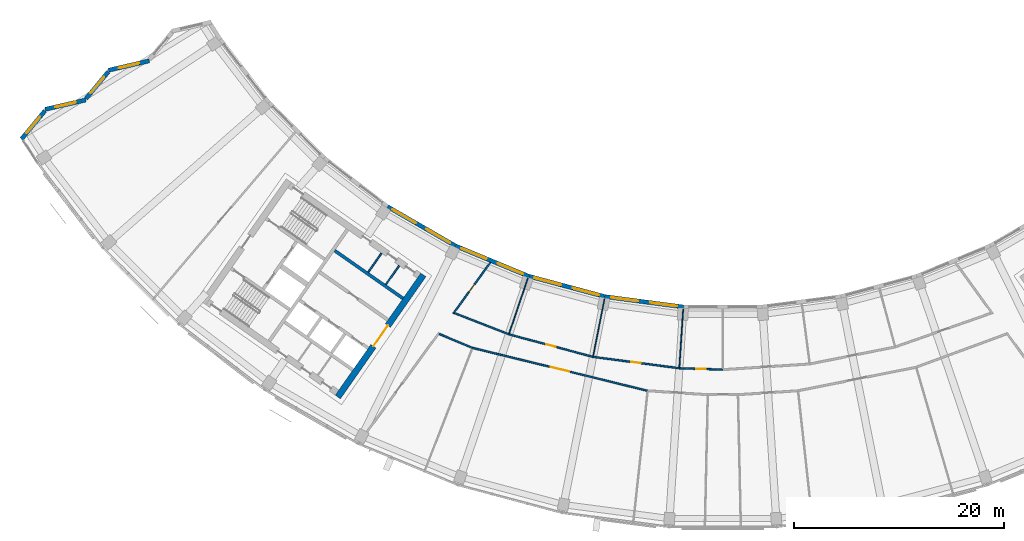
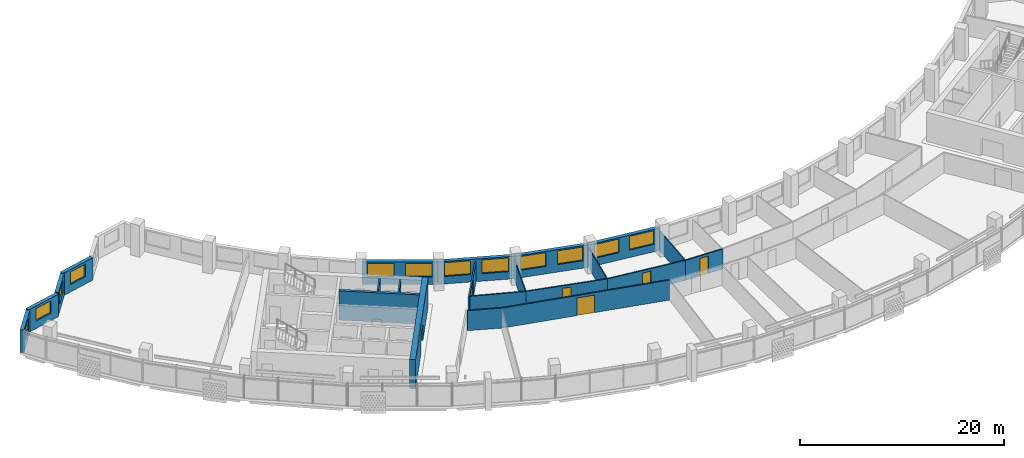
# One storey, part 4 of 28: 22 walls, 12 windows, 6 doors, 18 openings.
"""IFC4 building model written with IfcOpenShell, lengths in metres."""

from ifc_helpers import new_model, si_unit, direction, frame, frame_2d, origin, place, context, subcontext, project, spatial, rectangle, extrude, material, layer, layer_set, type_object, element, fill, save


model = new_model("IFC4")

# Units and contexts
model_context = context("Model", 3, precision=1e-05, world=origin(), true_north=direction((0.0, 1.0)))
body_context = subcontext(model_context, "Body", "Model", "MODEL_VIEW")
ifc_project = project(units=[si_unit("LENGTHUNIT", "METRE"), si_unit("AREAUNIT", "SQUARE_METRE"), si_unit("VOLUMEUNIT", "CUBIC_METRE"), si_unit("PLANEANGLEUNIT", "RADIAN"), si_unit("MASSUNIT", "GRAM", prefix="KILO")], contexts=[model_context])

# Site, building, storey
site_placement = place(None, origin())
site = spatial("IfcSite", under=ifc_project, at=site_placement, CompositionType="ELEMENT")
building_placement = place(site_placement, origin())
building = spatial("IfcBuilding", under=site, at=building_placement, Name="Qamariyya Broadcast Tower", CompositionType="ELEMENT")
storey_placement = place(building_placement, frame((0.0, 0.0, 230.300048828125)))
storey = spatial("IfcBuildingStorey", under=building, at=storey_placement, Name="L55", CompositionType="ELEMENT", Elevation=230.300048828125)

# Wall, opening, door
ifc_material_1 = material(Name="Concrete C60/75", Category="concrete")
ifc_layer_1 = layer(ifc_material_1, 0.60009765625)
ifc_layer_set_1 = layer_set([ifc_layer_1], Name="Core wall 600 mm Concrete C60/75")
wall_type_1 = type_object("IfcWallType", Name="Core wall 600 mm Concrete C60/75", PredefinedType="SHEAR", material=ifc_layer_set_1)
wall_1_placement = place(storey_placement, frame((-36.66748046875, -66.005126953125, 0.0), z_axis=(0.0, 0.0, 1.0), x_axis=(0.573568499524, 0.819157601658, 0.0)))
wall_1 = element("IfcWall", 1, at=wall_1_placement, inside=storey, type_object=wall_type_1, Name="k-W-L55-WA", PredefinedType="SHEAR", context=body_context, shape_type="SweptSolid", body=[
    extrude(rectangle(XDim=14.19970703125, YDim=0.60009765625, at=frame_2d((7.099853515625, 0.0))), origin(), (0.0, 0.0, 1.0), 3.5),
])
opening_1_placement = place(wall_1_placement, frame((5.89990234375, 0.0, 0.0)))
opening_1 = element("IfcOpeningElement", 2, at=opening_1_placement, cuts=wall_1, Name="Opening KD3-W1", PredefinedType="OPENING", context=body_context, shape_type="SweptSolid", body=[
    extrude(rectangle(XDim=2.39990234375, YDim=2.10009765625, at=frame_2d((1.199951171875, 1.050048828125))), frame((0.0, 0.31005859375, 0.0), z_axis=(0.0, -1.0, 0.0), x_axis=(1.0, 0.0, 0.0)), (0.0, 0.0, 1.0), 0.6201171875),
])
ifc_material_2 = material(Name="Steel fire-resisting door leaf", Category="steel")
door_type_1 = type_object("IfcDoorType", Name="Lift lobby door KD3", OperationType="DOUBLE_DOOR_SINGLE_SWING", PredefinedType="DOOR", material=ifc_material_2)
door_1_placement = place(opening_1_placement, origin())
door_1 = element("IfcDoor", 3, at=door_1_placement, inside=storey, type_object=door_type_1, Name="k-W-L55-WA-D1", OperationType="DOUBLE_DOOR_SINGLE_SWING", OverallHeight=2.10009765625, OverallWidth=2.39990234375, PredefinedType="DOOR", context=body_context, shape_type="SweptSolid", body=[
    extrude(rectangle(XDim=2.39990234375, YDim=2.10009765625, at=frame_2d((1.199951171875, 1.050048828125))), frame((0.0, 0.02490234375, 0.0), z_axis=(0.0, -1.0, 0.0), x_axis=(1.0, 0.0, 0.0)), (0.0, 0.0, 1.0), 0.050048828125),
])
fill(opening_1, door_1)

# Walls
ifc_material_3 = material(Name="Gypsum board partition")
ifc_layer_2 = layer(ifc_material_3, 0.14990234375)
ifc_layer_set_2 = layer_set([ifc_layer_2], Name="Corridor partition 150 EI 60")
wall_type_2 = type_object("IfcWallType", Name="Corridor partition 150 EI 60", PredefinedType="PARTITIONING", material=ifc_layer_set_2)
wall_2_placement = place(storey_placement, frame((-27.008544921875, -59.999267578125, 0.0), z_axis=(0.0, 0.0, 1.0), x_axis=(0.922043605685, -0.387086023018, 0.0)))
element("IfcWall", 4, at=wall_2_placement, inside=storey, type_object=wall_type_2, Name="Partition L55-004", PredefinedType="PARTITIONING", context=body_context, shape_type="SweptSolid", body=[
    extrude(rectangle(XDim=3.42919921875, YDim=0.14990234375, at=frame_2d((1.714599609375, 0.0))), origin(), (0.0, 0.0, 1.0), 2.39990234375),
])
wall_3_placement = place(storey_placement, frame((-25.561767578125, -58.014892578125, 0.0), z_axis=(0.0, 0.0, 1.0), x_axis=(0.931697931841, -0.363234034479, 0.0)))
element("IfcWall", 5, at=wall_3_placement, inside=storey, type_object=wall_type_2, Name="Partition L55-005", PredefinedType="PARTITIONING", context=body_context, shape_type="SweptSolid", body=[
    extrude(rectangle(XDim=5.5625, YDim=0.14990234375, at=frame_2d((2.78125, 0.0))), origin(), (0.0, 0.0, 1.0), 2.39990234375),
])

# Wall, opening, door
wall_4_placement = place(storey_placement, frame((-7.16162109375, -65.4091796875, 0.0), z_axis=(0.0, 0.0, 1.0), x_axis=(-0.971345945065, 0.23767005492, 0.0)))
wall_4 = element("IfcWall", 6, at=wall_4_placement, inside=storey, type_object=wall_type_2, Name="Partition L55-006", PredefinedType="PARTITIONING", context=body_context, shape_type="SweptSolid", body=[
    extrude(rectangle(XDim=17.17724609375, YDim=0.14990234375, at=frame_2d((8.588623046875, 0.0))), origin(), (0.0, 0.0, 1.0), 2.39990234375),
])
opening_2_placement = place(wall_4_placement, frame((7.688720703125, 0.0, 0.0)))
opening_2 = element("IfcOpeningElement", 7, at=opening_2_placement, cuts=wall_4, Name="Opening L55-D02", PredefinedType="OPENING", context=body_context, shape_type="SweptSolid", body=[
    extrude(rectangle(XDim=1.800048828125, YDim=2.10009765625, at=frame_2d((0.89990234375, 1.050048828125))), frame((0.0, 0.0849609375, 0.0), z_axis=(0.0, -1.0, 0.0), x_axis=(1.0, 0.0, 0.0)), (0.0, 0.0, 1.0), 0.169921875),
])
ifc_material_4 = material(Name="Timber fire door leaf", Category="wood")
door_type_2 = type_object("IfcDoorType", Name="Double fire door 1800 x 2100 FD60", OperationType="NOTDEFINED", PredefinedType="DOOR", material=ifc_material_4)
door_2_placement = place(opening_2_placement, origin())
door_2 = element("IfcDoor", 8, at=door_2_placement, inside=storey, type_object=door_type_2, Name="Door L55-D02", OperationType="DOUBLE_DOOR_SINGLE_SWING", OverallHeight=2.10009765625, OverallWidth=1.800048828125, PredefinedType="DOOR", context=body_context, shape_type="SweptSolid", body=[
    extrude(rectangle(XDim=1.800048828125, YDim=2.10009765625, at=frame_2d((0.89990234375, 1.050048828125))), frame((0.0, 0.02490234375, 0.0), z_axis=(0.0, -1.0, 0.0), x_axis=(1.0, 0.0, 0.0)), (0.0, 0.0, 1.0), 0.050048828125),
])
fill(opening_2, door_2)

wall_5_placement = place(storey_placement, frame((-22.135498046875, -53.1943359375, 0.0), z_axis=(0.0, 0.0, 1.0), x_axis=(-0.589297062476, -0.807916438846, 0.0)))
wall_5 = element("IfcWall", 9, at=wall_5_placement, inside=storey, type_object=wall_type_2, Name="Partition L55-007", PredefinedType="PARTITIONING", context=body_context, shape_type="SweptSolid", body=[
    extrude(rectangle(XDim=6.008056640625, YDim=0.14990234375, at=frame_2d((3.00390625, 0.0))), origin(), (0.0, 0.0, 1.0), 2.39990234375),
])
opening_3_placement = place(wall_5_placement, frame((2.553955078125, 0.0, 0.0)))
opening_3 = element("IfcOpeningElement", 10, at=opening_3_placement, cuts=wall_5, Name="Opening L55-D08", PredefinedType="OPENING", context=body_context, shape_type="SweptSolid", body=[
    extrude(rectangle(XDim=0.89990234375, YDim=2.10009765625, at=frame_2d((0.449951171875, 1.050048828125))), frame((0.0, 0.0849609375, 0.0), z_axis=(0.0, -1.0, 0.0), x_axis=(1.0, 0.0, 0.0)), (0.0, 0.0, 1.0), 0.169921875),
])
door_type_3 = type_object("IfcDoorType", Name="Fire door 900 x 2100 FD60", OperationType="NOTDEFINED", PredefinedType="DOOR", material=ifc_material_4)
door_3_placement = place(opening_3_placement, origin())
door_3 = element("IfcDoor", 11, at=door_3_placement, inside=storey, type_object=door_type_3, Name="Door L55-D08", OperationType="SINGLE_SWING_RIGHT", OverallHeight=2.10009765625, OverallWidth=0.89990234375, PredefinedType="DOOR", context=body_context, shape_type="SweptSolid", body=[
    extrude(rectangle(XDim=0.89990234375, YDim=2.10009765625, at=frame_2d((0.449951171875, 1.050048828125))), frame((0.0, 0.02490234375, 0.0), z_axis=(0.0, -1.0, 0.0), x_axis=(1.0, 0.0, 0.0)), (0.0, 0.0, 1.0), 0.050048828125),
])
fill(opening_3, door_3)

wall_6_placement = place(storey_placement, frame((-20.379150390625, -60.035400390625, 0.0), z_axis=(0.0, 0.0, 1.0), x_axis=(0.965923478141, -0.258827808351, 0.0)))
wall_6 = element("IfcWall", 12, at=wall_6_placement, inside=storey, type_object=wall_type_2, Name="Partition L55-008", PredefinedType="PARTITIONING", context=body_context, shape_type="SweptSolid", body=[
    extrude(rectangle(XDim=8.293212890625, YDim=0.14990234375, at=frame_2d((4.146484375, 0.0))), origin(), (0.0, 0.0, 1.0), 2.39990234375),
])
opening_4_placement = place(wall_6_placement, frame((3.696533203125, 0.0, 0.0)))
opening_4 = element("IfcOpeningElement", 13, at=opening_4_placement, cuts=wall_6, Name="Opening L55-D09", PredefinedType="OPENING", context=body_context, shape_type="SweptSolid", body=[
    extrude(rectangle(XDim=0.89990234375, YDim=2.10009765625, at=frame_2d((0.449951171875, 1.050048828125))), frame((0.0, 0.0849609375, 0.0), z_axis=(0.0, -1.0, 0.0), x_axis=(1.0, 0.0, 0.0)), (0.0, 0.0, 1.0), 0.169921875),
])
door_4_placement = place(opening_4_placement, origin())
door_4 = element("IfcDoor", 14, at=door_4_placement, inside=storey, type_object=door_type_3, Name="Door L55-D09", OperationType="SINGLE_SWING_RIGHT", OverallHeight=2.10009765625, OverallWidth=0.89990234375, PredefinedType="DOOR", context=body_context, shape_type="SweptSolid", body=[
    extrude(rectangle(XDim=0.89990234375, YDim=2.10009765625, at=frame_2d((0.449951171875, 1.050048828125))), frame((0.0, 0.02490234375, 0.0), z_axis=(0.0, -1.0, 0.0), x_axis=(1.0, 0.0, 0.0)), (0.0, 0.0, 1.0), 0.050048828125),
])
fill(opening_4, door_4)

wall_7_placement = place(storey_placement, frame((-12.36865234375, -62.181884765625, 0.0), z_axis=(0.0, 0.0, 1.0), x_axis=(0.991447881484, -0.130503250152, 0.0)))
wall_7 = element("IfcWall", 15, at=wall_7_placement, inside=storey, type_object=wall_type_2, Name="Partition L55-010", PredefinedType="PARTITIONING", context=body_context, shape_type="SweptSolid", body=[
    extrude(rectangle(XDim=8.293212890625, YDim=0.14990234375, at=frame_2d((4.146484375, 0.0))), origin(), (0.0, 0.0, 1.0), 2.39990234375),
])
opening_5_placement = place(wall_7_placement, frame((3.696533203125, 0.0, 0.0)))
opening_5 = element("IfcOpeningElement", 16, at=opening_5_placement, cuts=wall_7, Name="Opening L55-D10", PredefinedType="OPENING", context=body_context, shape_type="SweptSolid", body=[
    extrude(rectangle(XDim=0.89990234375, YDim=2.10009765625, at=frame_2d((0.449951171875, 1.050048828125))), frame((0.0, 0.0849609375, 0.0), z_axis=(0.0, -1.0, 0.0), x_axis=(1.0, 0.0, 0.0)), (0.0, 0.0, 1.0), 0.169921875),
])
door_5_placement = place(opening_5_placement, origin())
door_5 = element("IfcDoor", 17, at=door_5_placement, inside=storey, type_object=door_type_3, Name="Door L55-D10", OperationType="SINGLE_SWING_RIGHT", OverallHeight=2.10009765625, OverallWidth=0.89990234375, PredefinedType="DOOR", context=body_context, shape_type="SweptSolid", body=[
    extrude(rectangle(XDim=0.89990234375, YDim=2.10009765625, at=frame_2d((0.449951171875, 1.050048828125))), frame((0.0, 0.02490234375, 0.0), z_axis=(0.0, -1.0, 0.0), x_axis=(1.0, 0.0, 0.0)), (0.0, 0.0, 1.0), 0.050048828125),
])
fill(opening_5, door_5)

wall_8_placement = place(storey_placement, frame((-4.146484375, -63.26416015625, 0.0), z_axis=(0.0, 0.0, 1.0), x_axis=(0.999464584765, -0.032719165634, 0.0)))
wall_8 = element("IfcWall", 18, at=wall_8_placement, inside=storey, type_object=wall_type_2, Name="Partition L55-014", PredefinedType="PARTITIONING", context=body_context, shape_type="SweptSolid", body=[
    extrude(rectangle(XDim=4.148681640625, YDim=0.14990234375, at=frame_2d((2.07421875, 0.0))), origin(), (0.0, 0.0, 1.0), 2.39990234375),
])
opening_6_placement = place(wall_8_placement, frame((1.62451171875, 0.0, 0.0)))
opening_6 = element("IfcOpeningElement", 19, at=opening_6_placement, cuts=wall_8, Name="Opening L55-D11", PredefinedType="OPENING", context=body_context, shape_type="SweptSolid", body=[
    extrude(rectangle(XDim=0.89990234375, YDim=2.10009765625, at=frame_2d((0.449951171875, 1.050048828125))), frame((0.0, 0.0849609375, 0.0), z_axis=(0.0, -1.0, 0.0), x_axis=(1.0, 0.0, 0.0)), (0.0, 0.0, 1.0), 0.169921875),
])
door_6_placement = place(opening_6_placement, origin())
door_6 = element("IfcDoor", 20, at=door_6_placement, inside=storey, type_object=door_type_3, Name="Door L55-D11", OperationType="SINGLE_SWING_RIGHT", OverallHeight=2.10009765625, OverallWidth=0.89990234375, PredefinedType="DOOR", context=body_context, shape_type="SweptSolid", body=[
    extrude(rectangle(XDim=0.89990234375, YDim=2.10009765625, at=frame_2d((0.449951171875, 1.050048828125))), frame((0.0, 0.02490234375, 0.0), z_axis=(0.0, -1.0, 0.0), x_axis=(1.0, 0.0, 0.0)), (0.0, 0.0, 1.0), 0.050048828125),
])
fill(opening_6, door_6)

# Walls
ifc_material_5 = material(Name="Gypsum board partition on steel studs", Category="steel")
ifc_layer_3 = layer(ifc_material_5, 0.14990234375)
ifc_layer_set_3 = layer_set([ifc_layer_3], Name="Gypsum board partition 150 mm")
wall_type_3 = type_object("IfcWallType", Name="Gypsum board partition 150 mm", PredefinedType="PARTITIONING", material=ifc_layer_set_3)
wall_9_placement = place(storey_placement, frame((-32.0947265625, -55.290283203125, 0.0), z_axis=(0.0, 0.0, 1.0), x_axis=(0.573559170999, 0.819164133348, 0.0)))
element("IfcWall", 21, at=wall_9_placement, inside=storey, type_object=wall_type_3, Name="k-W-L55-NP210", PredefinedType="PARTITIONING", context=body_context, shape_type="SweptSolid", body=[
    extrude(rectangle(XDim=2.19970703125, YDim=0.14990234375, at=frame_2d((1.099853515625, 0.0))), origin(), (0.0, 0.0, 1.0), 3.5),
])
wall_10_placement = place(storey_placement, frame((-33.774169921875, -54.114501953125, 0.0), z_axis=(0.0, 0.0, 1.0), x_axis=(0.573581496053, 0.819148501424, 0.0)))
element("IfcWall", 22, at=wall_10_placement, inside=storey, type_object=wall_type_3, Name="k-W-L55-NP415", PredefinedType="PARTITIONING", context=body_context, shape_type="SweptSolid", body=[
    extrude(rectangle(XDim=2.2001953125, YDim=0.14990234375, at=frame_2d((1.10009765625, 0.0))), origin(), (0.0, 0.0, 1.0), 3.5),
])
ifc_layer_4 = layer(ifc_material_1, 0.300048828125)
ifc_layer_set_4 = layer_set([ifc_layer_4], Name="Lift shaft wall 300 mm Concrete C60/75")
wall_type_4 = type_object("IfcWallType", Name="Lift shaft wall 300 mm Concrete C60/75", PredefinedType="SOLIDWALL", material=ifc_layer_set_4)
wall_11_placement = place(storey_placement, frame((-30.460693359375, -56.61767578125, 0.0), z_axis=(0.0, 0.0, 1.0), x_axis=(-0.819142461705, 0.573590121456, 0.0)))
element("IfcWall", 23, at=wall_11_placement, inside=storey, type_object=wall_type_4, Name="k-W-L55-NB0", PredefinedType="SOLIDWALL", context=body_context, shape_type="SweptSolid", body=[
    extrude(rectangle(XDim=7.949951171875, YDim=0.300048828125, at=frame_2d((3.97509765625, 0.0))), origin(), (0.0, 0.0, 1.0), 3.5),
])
ifc_layer_5 = layer(ifc_material_3, 0.10009765625)
ifc_layer_set_5 = layer_set([ifc_layer_5], Name="Partition 100")
wall_type_5 = type_object("IfcWallType", Name="Partition 100", PredefinedType="PARTITIONING", material=ifc_layer_set_5)
for number, where, z_axis, x_axis, name in (
    (24, (-18.563232421875, -54.685302734375, 0.0), (0.0, 0.0, 1.0), (-0.321438701958, -0.946930388616, 0.0), "Partition L55-009"),
    (25, (-11.266357421875, -56.640380859375, 0.0), (0.0, 0.0, 1.0), (-0.195097004053, -0.98078395124, 0.0), "Partition L55-011"),
    (26, (-3.777099609375, -57.62646484375, 0.0), (0.0, 0.0, 1.0), (-0.065382488891, -0.997860275864, 0.0), "Partition L55-015"),
):
    element("IfcWall", number, at=place(storey_placement, frame(where, z_axis=z_axis, x_axis=x_axis)), inside=storey, type_object=wall_type_5, Name=name, PredefinedType="PARTITIONING", context=body_context, shape_type="SweptSolid", body=[
        extrude(rectangle(XDim=5.574951171875, YDim=0.10009765625, at=frame_2d((2.78759765625, 0.0))), origin(), (0.0, 0.0, 1.0), 2.39990234375),
    ])

# Wall, opening, window
ifc_material_6 = material(Name="Terracotta", Category="masonry")
ifc_layer_6 = layer(ifc_material_6, 0.39990234375)
ifc_layer_set_6 = layer_set([ifc_layer_6], Name="Terracotta clad wall 400")
wall_type_6 = type_object("IfcWallType", Name="Terracotta clad wall 400", PredefinedType="SOLIDWALL", material=ifc_layer_set_6)
wall_12_placement = place(storey_placement, frame((-54.627685546875, -33.986328125, 0.0), z_axis=(0.0, 0.0, 1.0), x_axis=(-0.974618305836, -0.223873084423, 0.0)))
wall_12 = element("IfcWall", 27, at=wall_12_placement, inside=storey, type_object=wall_type_6, Name="e-wl-L55-capW2", PredefinedType="SOLIDWALL", context=body_context, shape_type="SweptSolid", body=[
    extrude(rectangle(XDim=3.97705078125, YDim=0.39990234375, at=frame_2d((1.988525390625, 0.0))), origin(), (0.0, 0.0, 1.0), 2.699951171875),
])
opening_7_placement = place(wall_12_placement, frame((0.988525390625, 0.0, 0.89990234375)))
opening_7 = element("IfcOpeningElement", 28, at=opening_7_placement, cuts=wall_12, Name="Opening W4", PredefinedType="OPENING", context=body_context, shape_type="SweptSolid", body=[
    extrude(rectangle(XDim=2.0, YDim=1.5, at=frame_2d((1.0, 0.75))), frame((0.0, 0.2099609375, 0.0), z_axis=(0.0, -1.0, 0.0), x_axis=(1.0, 0.0, 0.0)), (0.0, 0.0, 1.0), 0.419921875),
])
ifc_material_7 = material(Name="Clear low-e double glazed unit in aluminium frame", Category="aluminium")
window_type_1 = type_object("IfcWindowType", Name="Horn bay window 2000 x 1500", PartitioningType="SINGLE_PANEL", PredefinedType="WINDOW", material=ifc_material_7)
window_1_placement = place(opening_7_placement, origin())
window_1 = element("IfcWindow", 29, at=window_1_placement, inside=storey, type_object=window_type_1, Name="e-w-L55-capW2", OverallHeight=1.5, OverallWidth=2.0, PartitioningType="SINGLE_PANEL", PredefinedType="WINDOW", context=body_context, shape_type="SweptSolid", body=[
    extrude(rectangle(XDim=2.0, YDim=1.5, at=frame_2d((1.0, 0.75))), frame((0.0, 0.030029296875, 0.0), z_axis=(0.0, -1.0, 0.0), x_axis=(1.0, 0.0, 0.0)), (0.0, 0.0, 1.0), 0.06005859375),
])
fill(opening_7, window_1)

wall_13_placement = place(storey_placement, frame((-58.525390625, -35.016357421875, 0.0), z_axis=(0.0, 0.0, 1.0), x_axis=(-0.638883324557, -0.769303644605, 0.0)))
wall_13 = element("IfcWall", 30, at=wall_13_placement, inside=storey, type_object=wall_type_6, Name="e-wl-L55-capW3", PredefinedType="SOLIDWALL", context=body_context, shape_type="SweptSolid", body=[
    extrude(rectangle(XDim=3.32470703125, YDim=0.39990234375, at=frame_2d((1.662353515625, 0.0))), origin(), (0.0, 0.0, 1.0), 2.699951171875),
])
opening_8_placement = place(wall_13_placement, frame((0.662353515625, 0.0, 0.89990234375)))
opening_8 = element("IfcOpeningElement", 31, at=opening_8_placement, cuts=wall_13, Name="Opening W4", PredefinedType="OPENING", context=body_context, shape_type="SweptSolid", body=[
    extrude(rectangle(XDim=2.0, YDim=1.5, at=frame_2d((1.0, 0.75))), frame((0.0, 0.2099609375, 0.0), z_axis=(0.0, -1.0, 0.0), x_axis=(1.0, 0.0, 0.0)), (0.0, 0.0, 1.0), 0.419921875),
])
window_2_placement = place(opening_8_placement, origin())
window_2 = element("IfcWindow", 32, at=window_2_placement, inside=storey, type_object=window_type_1, Name="e-w-L55-capW3", OverallHeight=1.5, OverallWidth=2.0, PartitioningType="SINGLE_PANEL", PredefinedType="WINDOW", context=body_context, shape_type="SweptSolid", body=[
    extrude(rectangle(XDim=2.0, YDim=1.5, at=frame_2d((1.0, 0.75))), frame((0.0, 0.030029296875, 0.0), z_axis=(0.0, -1.0, 0.0), x_axis=(1.0, 0.0, 0.0)), (0.0, 0.0, 1.0), 0.06005859375),
])
fill(opening_8, window_2)

wall_14_placement = place(storey_placement, frame((-60.670654296875, -37.713623046875, 0.0), z_axis=(0.0, 0.0, 1.0), x_axis=(-0.974603826505, -0.22393611, 0.0)))
wall_14 = element("IfcWall", 33, at=wall_14_placement, inside=storey, type_object=wall_type_6, Name="e-wl-L55-capW4", PredefinedType="SOLIDWALL", context=body_context, shape_type="SweptSolid", body=[
    extrude(rectangle(XDim=3.978271484375, YDim=0.39990234375, at=frame_2d((1.9892578125, 0.0))), origin(), (0.0, 0.0, 1.0), 2.699951171875),
])
opening_9_placement = place(wall_14_placement, frame((0.989013671875, 0.0, 0.89990234375)))
opening_9 = element("IfcOpeningElement", 34, at=opening_9_placement, cuts=wall_14, Name="Opening W4", PredefinedType="OPENING", context=body_context, shape_type="SweptSolid", body=[
    extrude(rectangle(XDim=2.0, YDim=1.5, at=frame_2d((1.0, 0.75))), frame((0.0, 0.2099609375, 0.0), z_axis=(0.0, -1.0, 0.0), x_axis=(1.0, 0.0, 0.0)), (0.0, 0.0, 1.0), 0.419921875),
])
window_3_placement = place(opening_9_placement, origin())
window_3 = element("IfcWindow", 35, at=window_3_placement, inside=storey, type_object=window_type_1, Name="e-w-L55-capW4", OverallHeight=1.5, OverallWidth=2.0, PartitioningType="SINGLE_PANEL", PredefinedType="WINDOW", context=body_context, shape_type="SweptSolid", body=[
    extrude(rectangle(XDim=2.0, YDim=1.5, at=frame_2d((1.0, 0.75))), frame((0.0, 0.030029296875, 0.0), z_axis=(0.0, -1.0, 0.0), x_axis=(1.0, 0.0, 0.0)), (0.0, 0.0, 1.0), 0.06005859375),
])
fill(opening_9, window_3)

wall_15_placement = place(storey_placement, frame((-64.569091796875, -38.744140625, 0.0), z_axis=(0.0, 0.0, 1.0), x_axis=(-0.638841759524, -0.769338161206, 0.0)))
wall_15 = element("IfcWall", 36, at=wall_15_placement, inside=storey, type_object=wall_type_6, Name="e-wl-L55-capW5", PredefinedType="SOLIDWALL", context=body_context, shape_type="SweptSolid", body=[
    extrude(rectangle(XDim=3.472412109375, YDim=0.39990234375, at=frame_2d((1.736328125, 0.0))), origin(), (0.0, 0.0, 1.0), 2.699951171875),
])
opening_10_placement = place(wall_15_placement, frame((0.736083984375, 0.0, 0.89990234375)))
opening_10 = element("IfcOpeningElement", 37, at=opening_10_placement, cuts=wall_15, Name="Opening W4", PredefinedType="OPENING", context=body_context, shape_type="SweptSolid", body=[
    extrude(rectangle(XDim=2.0, YDim=1.5, at=frame_2d((1.0, 0.75))), frame((0.0, 0.2099609375, 0.0), z_axis=(0.0, -1.0, 0.0), x_axis=(1.0, 0.0, 0.0)), (0.0, 0.0, 1.0), 0.419921875),
])
window_4_placement = place(opening_10_placement, origin())
window_4 = element("IfcWindow", 38, at=window_4_placement, inside=storey, type_object=window_type_1, Name="e-w-L55-capW5", OverallHeight=1.5, OverallWidth=2.0, PartitioningType="SINGLE_PANEL", PredefinedType="WINDOW", context=body_context, shape_type="SweptSolid", body=[
    extrude(rectangle(XDim=2.0, YDim=1.5, at=frame_2d((1.0, 0.75))), frame((0.0, 0.030029296875, 0.0), z_axis=(0.0, -1.0, 0.0), x_axis=(1.0, 0.0, 0.0)), (0.0, 0.0, 1.0), 0.06005859375),
])
fill(opening_10, window_4)

# Wall, openings, windows
wall_16_placement = place(storey_placement, frame((-25.497802734375, -51.590087890625, 0.0), z_axis=(0.0, 0.0, 1.0), x_axis=(-0.866021353871, 0.500007014591, 0.0)))
wall_16 = element("IfcWall", 39, at=wall_16_placement, inside=storey, type_object=wall_type_6, Name="e-wl-L55-in40", PredefinedType="SOLIDWALL", context=body_context, shape_type="SweptSolid", body=[
    extrude(rectangle(XDim=7.4267578125, YDim=0.39990234375, at=frame_2d((3.71337890625, 0.0))), origin(), (0.0, 0.0, 1.0), 2.699951171875),
])
opening_11_placement = place(wall_16_placement, frame((4.28857421875, 0.0, 0.89990234375)))
opening_11 = element("IfcOpeningElement", 40, at=opening_11_placement, cuts=wall_16, Name="Opening W1", PredefinedType="OPENING", context=body_context, shape_type="SweptSolid", body=[
    extrude(rectangle(XDim=2.60009765625, YDim=1.64990234375, at=frame_2d((1.300048828125, 0.824951171875))), frame((0.0, 0.2099609375, 0.0), z_axis=(0.0, -1.0, 0.0), x_axis=(1.0, 0.0, 0.0)), (0.0, 0.0, 1.0), 0.419921875),
])
opening_12_placement = place(wall_16_placement, frame((0.537841796875, 0.0, 0.89990234375)))
opening_12 = element("IfcOpeningElement", 41, at=opening_12_placement, cuts=wall_16, Name="Opening W1", PredefinedType="OPENING", context=body_context, shape_type="SweptSolid", body=[
    extrude(rectangle(XDim=2.60009765625, YDim=1.64990234375, at=frame_2d((1.300048828125, 0.824951171875))), frame((0.0, 0.2099609375, 0.0), z_axis=(0.0, -1.0, 0.0), x_axis=(1.0, 0.0, 0.0)), (0.0, 0.0, 1.0), 0.419921875),
])
window_type_2 = type_object("IfcWindowType", Name="Ribbon window 2600 x 1650", PartitioningType="SINGLE_PANEL", PredefinedType="WINDOW", material=ifc_material_7)
window_5_placement = place(opening_11_placement, origin())
window_5 = element("IfcWindow", 42, at=window_5_placement, inside=storey, type_object=window_type_2, Name="e-w-L55-in04-0", OverallHeight=1.64990234375, OverallWidth=2.60009765625, PartitioningType="SINGLE_PANEL", PredefinedType="WINDOW", context=body_context, shape_type="SweptSolid", body=[
    extrude(rectangle(XDim=2.60009765625, YDim=1.64990234375, at=frame_2d((1.300048828125, 0.824951171875))), frame((0.0, 0.030029296875, 0.0), z_axis=(0.0, -1.0, 0.0), x_axis=(1.0, 0.0, 0.0)), (0.0, 0.0, 1.0), 0.06005859375),
])
fill(opening_11, window_5)
window_6_placement = place(opening_12_placement, origin())
window_6 = element("IfcWindow", 43, at=window_6_placement, inside=storey, type_object=window_type_2, Name="e-w-L55-in04-1", OverallHeight=1.64990234375, OverallWidth=2.60009765625, PartitioningType="SINGLE_PANEL", PredefinedType="WINDOW", context=body_context, shape_type="SweptSolid", body=[
    extrude(rectangle(XDim=2.60009765625, YDim=1.64990234375, at=frame_2d((1.300048828125, 0.824951171875))), frame((0.0, 0.030029296875, 0.0), z_axis=(0.0, -1.0, 0.0), x_axis=(1.0, 0.0, 0.0)), (0.0, 0.0, 1.0), 0.06005859375),
])
fill(opening_12, window_6)

wall_17_placement = place(storey_placement, frame((-18.475830078125, -54.505859375, 0.0), z_axis=(0.0, 0.0, 1.0), x_axis=(-0.923884115122, 0.382672368777, 0.0)))
wall_17 = element("IfcWall", 44, at=wall_17_placement, inside=storey, type_object=wall_type_6, Name="e-wl-L55-in50", PredefinedType="SOLIDWALL", context=body_context, shape_type="SweptSolid", body=[
    extrude(rectangle(XDim=7.578125, YDim=0.39990234375, at=frame_2d((3.7890625, 0.0))), origin(), (0.0, 0.0, 1.0), 2.699951171875),
])
opening_13_placement = place(wall_17_placement, frame((4.364501953125, 0.0, 0.89990234375)))
opening_13 = element("IfcOpeningElement", 45, at=opening_13_placement, cuts=wall_17, Name="Opening W1", PredefinedType="OPENING", context=body_context, shape_type="SweptSolid", body=[
    extrude(rectangle(XDim=2.60009765625, YDim=1.64990234375, at=frame_2d((1.300048828125, 0.824951171875))), frame((0.0, 0.2099609375, 0.0), z_axis=(0.0, -1.0, 0.0), x_axis=(1.0, 0.0, 0.0)), (0.0, 0.0, 1.0), 0.419921875),
])
opening_14_placement = place(wall_17_placement, frame((0.613525390625, 0.0, 0.89990234375)))
opening_14 = element("IfcOpeningElement", 46, at=opening_14_placement, cuts=wall_17, Name="Opening W1", PredefinedType="OPENING", context=body_context, shape_type="SweptSolid", body=[
    extrude(rectangle(XDim=2.60009765625, YDim=1.64990234375, at=frame_2d((1.300048828125, 0.824951171875))), frame((0.0, 0.2099609375, 0.0), z_axis=(0.0, -1.0, 0.0), x_axis=(1.0, 0.0, 0.0)), (0.0, 0.0, 1.0), 0.419921875),
])
window_7_placement = place(opening_13_placement, origin())
window_7 = element("IfcWindow", 47, at=window_7_placement, inside=storey, type_object=window_type_2, Name="e-w-L55-in05-0", OverallHeight=1.64990234375, OverallWidth=2.60009765625, PartitioningType="SINGLE_PANEL", PredefinedType="WINDOW", context=body_context, shape_type="SweptSolid", body=[
    extrude(rectangle(XDim=2.60009765625, YDim=1.64990234375, at=frame_2d((1.300048828125, 0.824951171875))), frame((0.0, 0.030029296875, 0.0), z_axis=(0.0, -1.0, 0.0), x_axis=(1.0, 0.0, 0.0)), (0.0, 0.0, 1.0), 0.06005859375),
])
fill(opening_13, window_7)
window_8_placement = place(opening_14_placement, origin())
window_8 = element("IfcWindow", 48, at=window_8_placement, inside=storey, type_object=window_type_2, Name="e-w-L55-in05-1", OverallHeight=1.64990234375, OverallWidth=2.60009765625, PartitioningType="SINGLE_PANEL", PredefinedType="WINDOW", context=body_context, shape_type="SweptSolid", body=[
    extrude(rectangle(XDim=2.60009765625, YDim=1.64990234375, at=frame_2d((1.300048828125, 0.824951171875))), frame((0.0, 0.030029296875, 0.0), z_axis=(0.0, -1.0, 0.0), x_axis=(1.0, 0.0, 0.0)), (0.0, 0.0, 1.0), 0.06005859375),
])
fill(opening_14, window_8)

wall_18_placement = place(storey_placement, frame((-11.276611328125, -56.431396484375, 0.0), z_axis=(0.0, 0.0, 1.0), x_axis=(-0.965924866111, 0.25882262851, 0.0)))
wall_18 = element("IfcWall", 49, at=wall_18_placement, inside=storey, type_object=wall_type_6, Name="e-wl-L55-in60", PredefinedType="SOLIDWALL", context=body_context, shape_type="SweptSolid", body=[
    extrude(rectangle(XDim=7.426513671875, YDim=0.39990234375, at=frame_2d((3.71337890625, 0.0))), origin(), (0.0, 0.0, 1.0), 2.699951171875),
])
opening_15_placement = place(wall_18_placement, frame((4.28857421875, 0.0, 0.89990234375)))
opening_15 = element("IfcOpeningElement", 50, at=opening_15_placement, cuts=wall_18, Name="Opening W1", PredefinedType="OPENING", context=body_context, shape_type="SweptSolid", body=[
    extrude(rectangle(XDim=2.60009765625, YDim=1.64990234375, at=frame_2d((1.300048828125, 0.824951171875))), frame((0.0, 0.2099609375, 0.0), z_axis=(0.0, -1.0, 0.0), x_axis=(1.0, 0.0, 0.0)), (0.0, 0.0, 1.0), 0.419921875),
])
opening_16_placement = place(wall_18_placement, frame((0.537841796875, 0.0, 0.89990234375)))
opening_16 = element("IfcOpeningElement", 51, at=opening_16_placement, cuts=wall_18, Name="Opening W1", PredefinedType="OPENING", context=body_context, shape_type="SweptSolid", body=[
    extrude(rectangle(XDim=2.60009765625, YDim=1.64990234375, at=frame_2d((1.300048828125, 0.824951171875))), frame((0.0, 0.2099609375, 0.0), z_axis=(0.0, -1.0, 0.0), x_axis=(1.0, 0.0, 0.0)), (0.0, 0.0, 1.0), 0.419921875),
])
window_9_placement = place(opening_15_placement, origin())
window_9 = element("IfcWindow", 52, at=window_9_placement, inside=storey, type_object=window_type_2, Name="e-w-L55-in06-0", OverallHeight=1.64990234375, OverallWidth=2.60009765625, PartitioningType="SINGLE_PANEL", PredefinedType="WINDOW", context=body_context, shape_type="SweptSolid", body=[
    extrude(rectangle(XDim=2.60009765625, YDim=1.64990234375, at=frame_2d((1.300048828125, 0.824951171875))), frame((0.0, 0.030029296875, 0.0), z_axis=(0.0, -1.0, 0.0), x_axis=(1.0, 0.0, 0.0)), (0.0, 0.0, 1.0), 0.06005859375),
])
fill(opening_15, window_9)
window_10_placement = place(opening_16_placement, origin())
window_10 = element("IfcWindow", 53, at=window_10_placement, inside=storey, type_object=window_type_2, Name="e-w-L55-in06-1", OverallHeight=1.64990234375, OverallWidth=2.60009765625, PartitioningType="SINGLE_PANEL", PredefinedType="WINDOW", context=body_context, shape_type="SweptSolid", body=[
    extrude(rectangle(XDim=2.60009765625, YDim=1.64990234375, at=frame_2d((1.300048828125, 0.824951171875))), frame((0.0, 0.030029296875, 0.0), z_axis=(0.0, -1.0, 0.0), x_axis=(1.0, 0.0, 0.0)), (0.0, 0.0, 1.0), 0.06005859375),
])
fill(opening_16, window_10)

wall_19_placement = place(storey_placement, frame((-3.7392578125, -57.430419921875, 0.0), z_axis=(0.0, 0.0, 1.0), x_axis=(-0.991446288508, 0.130515351599, 0.0)))
wall_19 = element("IfcWall", 54, at=wall_19_placement, inside=storey, type_object=wall_type_6, Name="e-wl-L55-in70", PredefinedType="SOLIDWALL", context=body_context, shape_type="SweptSolid", body=[
    extrude(rectangle(XDim=7.57763671875, YDim=0.39990234375, at=frame_2d((3.788818359375, 0.0))), origin(), (0.0, 0.0, 1.0), 2.699951171875),
])
opening_17_placement = place(wall_19_placement, frame((4.364501953125, 0.0, 0.89990234375)))
opening_17 = element("IfcOpeningElement", 55, at=opening_17_placement, cuts=wall_19, Name="Opening W1", PredefinedType="OPENING", context=body_context, shape_type="SweptSolid", body=[
    extrude(rectangle(XDim=2.60009765625, YDim=1.64990234375, at=frame_2d((1.300048828125, 0.824951171875))), frame((0.0, 0.2099609375, 0.0), z_axis=(0.0, -1.0, 0.0), x_axis=(1.0, 0.0, 0.0)), (0.0, 0.0, 1.0), 0.419921875),
])
opening_18_placement = place(wall_19_placement, frame((0.613525390625, 0.0, 0.89990234375)))
opening_18 = element("IfcOpeningElement", 56, at=opening_18_placement, cuts=wall_19, Name="Opening W1", PredefinedType="OPENING", context=body_context, shape_type="SweptSolid", body=[
    extrude(rectangle(XDim=2.60009765625, YDim=1.64990234375, at=frame_2d((1.300048828125, 0.824951171875))), frame((0.0, 0.2099609375, 0.0), z_axis=(0.0, -1.0, 0.0), x_axis=(1.0, 0.0, 0.0)), (0.0, 0.0, 1.0), 0.419921875),
])
window_11_placement = place(opening_17_placement, origin())
window_11 = element("IfcWindow", 57, at=window_11_placement, inside=storey, type_object=window_type_2, Name="e-w-L55-in07-0", OverallHeight=1.64990234375, OverallWidth=2.60009765625, PartitioningType="SINGLE_PANEL", PredefinedType="WINDOW", context=body_context, shape_type="SweptSolid", body=[
    extrude(rectangle(XDim=2.60009765625, YDim=1.64990234375, at=frame_2d((1.300048828125, 0.824951171875))), frame((0.0, 0.030029296875, 0.0), z_axis=(0.0, -1.0, 0.0), x_axis=(1.0, 0.0, 0.0)), (0.0, 0.0, 1.0), 0.06005859375),
])
fill(opening_17, window_11)
window_12_placement = place(opening_18_placement, origin())
window_12 = element("IfcWindow", 58, at=window_12_placement, inside=storey, type_object=window_type_2, Name="e-w-L55-in07-1", OverallHeight=1.64990234375, OverallWidth=2.60009765625, PartitioningType="SINGLE_PANEL", PredefinedType="WINDOW", context=body_context, shape_type="SweptSolid", body=[
    extrude(rectangle(XDim=2.60009765625, YDim=1.64990234375, at=frame_2d((1.300048828125, 0.824951171875))), frame((0.0, 0.030029296875, 0.0), z_axis=(0.0, -1.0, 0.0), x_axis=(1.0, 0.0, 0.0)), (0.0, 0.0, 1.0), 0.06005859375),
])
fill(opening_18, window_12)

save(model, "model.ifc")
